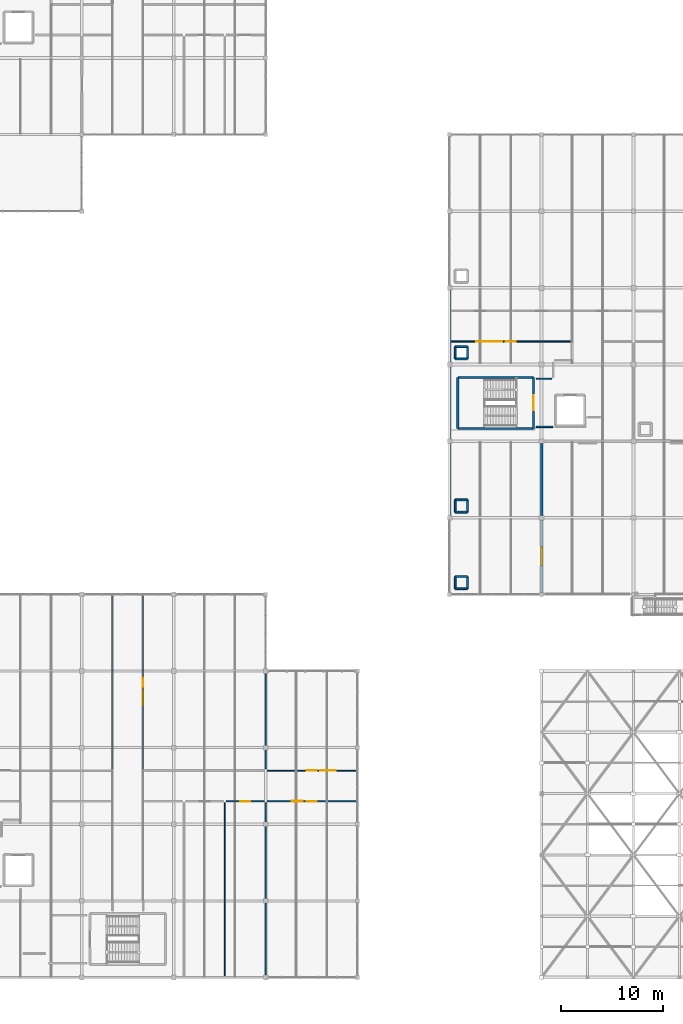
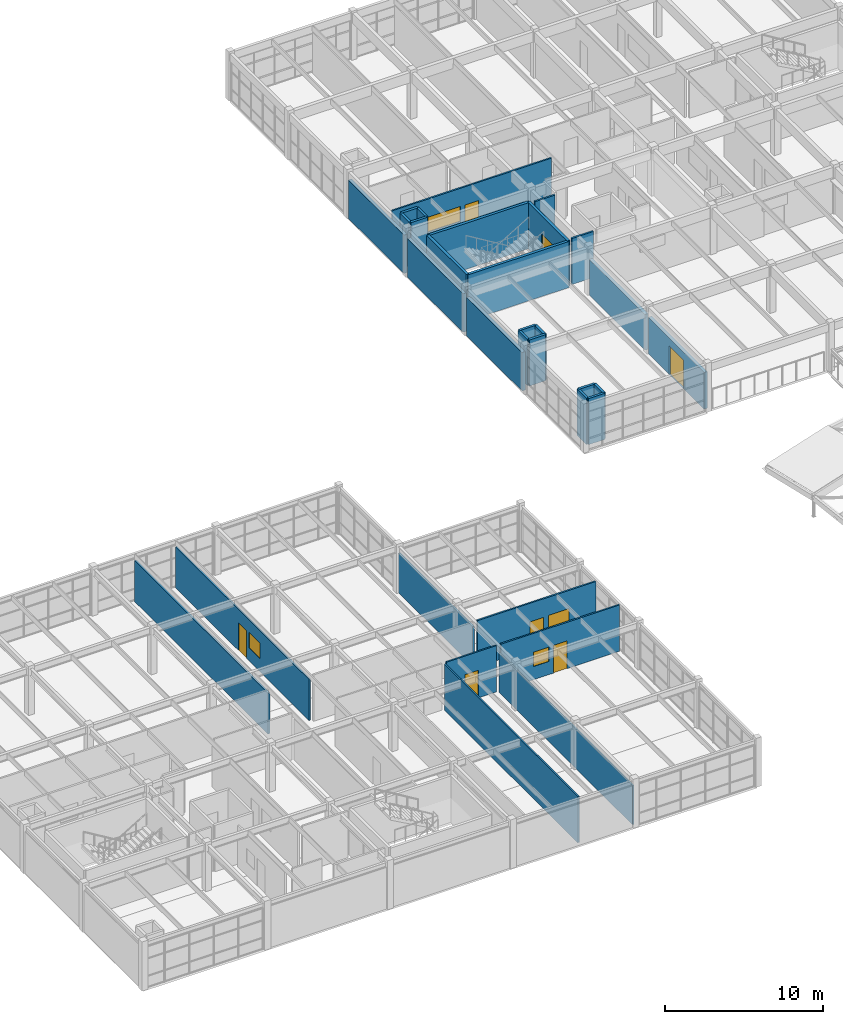
# One storey, part 72 of 81: 32 walls, 7 doors, 4 windows, 11 openings.
"""IFC4 building model written with IfcOpenShell, lengths in metres."""

from ifc_helpers import new_model, si_unit, direction, frame, frame_2d, origin, place, context, subcontext, project, spatial, rectangle, extrude, material, layer, layer_set, type_object, element, fill, save


model = new_model("IFC4")

# Units and contexts
model_context = context("Model", 3, precision=1e-05, world=origin(), true_north=direction((0.0, 1.0)))
body_context = subcontext(model_context, "Body", "Model", "MODEL_VIEW")
ifc_project = project(units=[si_unit("LENGTHUNIT", "METRE"), si_unit("AREAUNIT", "SQUARE_METRE"), si_unit("VOLUMEUNIT", "CUBIC_METRE"), si_unit("PLANEANGLEUNIT", "RADIAN"), si_unit("MASSUNIT", "GRAM", prefix="KILO")], contexts=[model_context])

# Site, building, storey
site_placement = place(None, origin())
site = spatial("IfcSite", under=ifc_project, at=site_placement, CompositionType="ELEMENT")
building_placement = place(site_placement, origin())
building = spatial("IfcBuilding", under=site, at=building_placement, Name="Marnridge Secondary College", CompositionType="ELEMENT")
storey_placement = place(building_placement, frame((0.0, 0.0, 8.5)))
storey = spatial("IfcBuildingStorey", under=building, at=storey_placement, Name="L02", CompositionType="ELEMENT", Elevation=8.5)

# Wall
ifc_material_1 = material(Name="Concrete C40/50 (AS 3600 N40, 40 MPa)", Category="concrete")
ifc_layer_1 = layer(ifc_material_1, 0.199951171875)
ifc_layer_set_1 = layer_set([ifc_layer_1], Name="WT-CORE-RC200")
wall_type_1 = type_object("IfcWallType", Name="WT-CORE-RC200", PredefinedType="SHEAR", material=ifc_layer_set_1)
wall_1_placement = place(storey_placement, frame((54.800048828125, 53.75, 0.0), z_axis=(0.0, 0.0, 1.0), x_axis=(1.0, 0.0, 0.0)))
element("IfcWall", 1, at=wall_1_placement, inside=storey, type_object=wall_type_1, Name="Stair core shear wall WC-L02-0257", PredefinedType="SHEAR", context=body_context, shape_type="SweptSolid", body=[
    extrude(rectangle(XDim=7.39990234375, YDim=0.199951171875, at=frame_2d((3.699951171875, 0.0))), origin(), (0.0, 0.0, 1.0), 3.570068359375),
])

# Wall, opening, door
wall_2_placement = place(storey_placement, frame((62.199951171875, 53.75, 0.0), z_axis=(0.0, 0.0, 1.0), x_axis=(0.0, 1.0, 0.0)))
wall_2 = element("IfcWall", 2, at=wall_2_placement, inside=storey, type_object=wall_type_1, Name="Stair core shear wall WC-L02-0258", PredefinedType="SHEAR", context=body_context, shape_type="SweptSolid", body=[
    extrude(rectangle(XDim=5.0, YDim=0.199951171875, at=frame_2d((2.5, 0.0))), origin(), (0.0, 0.0, 1.0), 3.570068359375),
])
opening_1_placement = place(wall_2_placement, frame((1.75, 0.0, 0.0)))
opening_1 = element("IfcOpeningElement", 3, at=opening_1_placement, cuts=wall_2, Name="Opening DC-L02-003", PredefinedType="OPENING", context=body_context, shape_type="SweptSolid", body=[
    extrude(rectangle(XDim=1.5, YDim=2.14990234375, at=frame_2d((0.75, 1.074951171875))), frame((0.0, 0.10986328125, 0.0), z_axis=(0.0, -1.0, 0.0), x_axis=(1.0, 0.0, 0.0)), (0.0, 0.0, 1.0), 0.219970703125),
])
ifc_material_2 = material(Name="Fire-rated solid-core timber doorset", Category="wood")
door_type_1 = type_object("IfcDoorType", Name="DT-CORE-FD150", OperationType="DOUBLE_DOOR_SINGLE_SWING", PredefinedType="DOOR", material=ifc_material_2)
door_1_placement = place(opening_1_placement, origin())
door_1 = element("IfcDoor", 4, at=door_1_placement, inside=storey, type_object=door_type_1, Name="Fire stair door DC-L02-003", OperationType="DOUBLE_DOOR_SINGLE_SWING", OverallHeight=2.14990234375, OverallWidth=1.5, PredefinedType="DOOR", context=body_context, shape_type="SweptSolid", body=[
    extrude(rectangle(XDim=1.5, YDim=2.14990234375, at=frame_2d((0.75, 1.074951171875))), frame((0.0, 0.02490234375, 0.0), z_axis=(0.0, -1.0, 0.0), x_axis=(1.0, 0.0, 0.0)), (0.0, 0.0, 1.0), 0.050048828125),
])
fill(opening_1, door_1)

# Walls
wall_3_placement = place(storey_placement, frame((62.199951171875, 58.75, 0.0), z_axis=(0.0, 0.0, 1.0), x_axis=(-1.0, 0.0, 0.0)))
element("IfcWall", 5, at=wall_3_placement, inside=storey, type_object=wall_type_1, Name="Stair core shear wall WC-L02-0259", PredefinedType="SHEAR", context=body_context, shape_type="SweptSolid", body=[
    extrude(rectangle(XDim=7.39990234375, YDim=0.199951171875, at=frame_2d((3.699951171875, 0.0))), origin(), (0.0, 0.0, 1.0), 3.570068359375),
])
wall_4_placement = place(storey_placement, frame((54.800048828125, 58.75, 0.0), z_axis=(0.0, 0.0, 1.0), x_axis=(0.0, -1.0, 0.0)))
element("IfcWall", 6, at=wall_4_placement, inside=storey, type_object=wall_type_1, Name="Stair core shear wall WC-L02-0260", PredefinedType="SHEAR", context=body_context, shape_type="SweptSolid", body=[
    extrude(rectangle(XDim=5.0, YDim=0.199951171875, at=frame_2d((2.5, 0.0))), origin(), (0.0, 0.0, 1.0), 3.570068359375),
])
ifc_material_3 = material(Name="Cross-laminated timber CL5", Category="wood")
ifc_layer_2 = layer(ifc_material_3, 0.239990234375)
ifc_layer_set_2 = layer_set([ifc_layer_2], Name="WT-EXT-CLT240")
wall_type_2 = type_object("IfcWallType", Name="WT-EXT-CLT240", PredefinedType="SOLIDWALL", material=ifc_layer_set_2)
wall_5_placement = place(storey_placement, frame((63.0, 52.279052734375, 0.0), z_axis=(0.0, 0.0, 1.0), x_axis=(0.0, -1.0, 0.0)))
element("IfcWall", 7, at=wall_5_placement, inside=storey, type_object=wall_type_2, Name="Exterior wall WE-L02-0134", PredefinedType="SOLIDWALL", context=body_context, shape_type="SweptSolid", body=[
    extrude(rectangle(XDim=7.05810546875, YDim=0.239990234375, at=frame_2d((3.529052734375, 0.0))), origin(), (0.0, 0.0, 1.0), 2.77197265625),
])

# Wall, opening, door
wall_6_placement = place(storey_placement, frame((63.0, 44.779052734375, 0.0), z_axis=(0.0, 0.0, 1.0), x_axis=(0.0, -1.0, 0.0)))
wall_6 = element("IfcWall", 8, at=wall_6_placement, inside=storey, type_object=wall_type_2, Name="Exterior wall WE-L02-0135", PredefinedType="SOLIDWALL", context=body_context, shape_type="SweptSolid", body=[
    extrude(rectangle(XDim=7.0830078125, YDim=0.239990234375, at=frame_2d((3.54150390625, 0.0))), origin(), (0.0, 0.0, 1.0), 2.842041015625),
])
opening_2_placement = place(wall_6_placement, frame((2.6416015625, 0.0, 0.0)))
opening_2 = element("IfcOpeningElement", 9, at=opening_2_placement, cuts=wall_6, Name="Opening DE-L02-029", PredefinedType="OPENING", context=body_context, shape_type="SweptSolid", body=[
    extrude(rectangle(XDim=1.800048828125, YDim=2.199951171875, at=frame_2d((0.89990234375, 1.10009765625))), frame((0.0, 0.1298828125, 0.0), z_axis=(0.0, -1.0, 0.0), x_axis=(1.0, 0.0, 0.0)), (0.0, 0.0, 1.0), 0.260009765625),
])
ifc_material_4 = material(Name="Thermally broken timber-aluminium terrace doorset", Category="wood")
door_type_2 = type_object("IfcDoorType", Name="DT-EXT-TER180", OperationType="DOUBLE_DOOR_SINGLE_SWING", PredefinedType="DOOR", material=ifc_material_4)
door_2_placement = place(opening_2_placement, origin())
door_2 = element("IfcDoor", 10, at=door_2_placement, inside=storey, type_object=door_type_2, Name="Play deck access door DE-L02-029", OperationType="DOUBLE_DOOR_SINGLE_SWING", OverallHeight=2.199951171875, OverallWidth=1.800048828125, PredefinedType="DOOR", context=body_context, shape_type="SweptSolid", body=[
    extrude(rectangle(XDim=1.800048828125, YDim=2.199951171875, at=frame_2d((0.89990234375, 1.10009765625))), frame((0.0, 0.02490234375, 0.0), z_axis=(0.0, -1.0, 0.0), x_axis=(1.0, 0.0, 0.0)), (0.0, 0.0, 1.0), 0.050048828125),
])
fill(opening_2, door_2)

# Walls
for number, where, z_axis, x_axis, name in (
    (11, (54.0, 45.220947265625, 0.0), (0.0, 0.0, 1.0), (0.0, 1.0, 0.0), "Exterior wall WE-L02-0136"),
    (12, (54.0, 52.720947265625, 0.0), (0.0, 0.0, 1.0), (0.0, 1.0, 0.0), "Exterior wall WE-L02-0137"),
    (13, (54.0, 60.220947265625, 0.0), (0.0, 0.0, 1.0), (0.0, 1.0, 0.0), "Exterior wall WE-L02-0138"),
):
    element("IfcWall", number, at=place(storey_placement, frame(where, z_axis=z_axis, x_axis=x_axis)), inside=storey, type_object=wall_type_2, Name=name, PredefinedType="SOLIDWALL", context=body_context, shape_type="SweptSolid", body=[
        extrude(rectangle(XDim=7.05810546875, YDim=0.239990234375, at=frame_2d((3.529052734375, 0.0))), origin(), (0.0, 0.0, 1.0), 2.97705078125),
    ])
ifc_material_5 = material(Name="Acoustic plasterboard partition Rw45", Category="gypsum")
ifc_layer_3 = layer(ifc_material_5, 0.1201171875)
ifc_layer_set_3 = layer_set([ifc_layer_3], Name="WT-PART-AC120")
wall_type_3 = type_object("IfcWallType", Name="WT-PART-AC120", PredefinedType="PARTITIONING", material=ifc_layer_set_3)
wall_7_placement = place(storey_placement, frame((62.5, 58.60009765625, 0.0), z_axis=(0.0, 0.0, 1.0), x_axis=(1.0, 0.0, 0.0)))
element("IfcWall", 14, at=wall_7_placement, inside=storey, type_object=wall_type_3, Name="Interior partition WP-L02-0243", PredefinedType="PARTITIONING", context=body_context, shape_type="SweptSolid", body=[
    extrude(rectangle(XDim=1.489990234375, YDim=0.1201171875, at=frame_2d((0.7451171875, 0.0))), origin(), (0.0, 0.0, 1.0), 3.570068359375),
])

# Wall, openings, door, window
wall_8_placement = place(storey_placement, frame((65.840087890625, 62.25, 0.0), z_axis=(0.0, 0.0, 1.0), x_axis=(-1.0, 0.0, 0.0)))
wall_8 = element("IfcWall", 15, at=wall_8_placement, inside=storey, type_object=wall_type_3, Name="Interior partition WP-L02-0247", PredefinedType="PARTITIONING", context=body_context, shape_type="SweptSolid", body=[
    extrude(rectangle(XDim=11.68017578125, YDim=0.1201171875, at=frame_2d((5.840087890625, 0.0))), origin(), (0.0, 0.0, 1.0), 3.570068359375),
])
opening_3_placement = place(wall_8_placement, frame((5.340087890625, 0.0, 0.0)))
opening_3 = element("IfcOpeningElement", 16, at=opening_3_placement, cuts=wall_8, Name="Opening DI-L02-0087", PredefinedType="OPENING", context=body_context, shape_type="SweptSolid", body=[
    extrude(rectangle(XDim=1.0, YDim=2.14990234375, at=frame_2d((0.5, 1.074951171875))), frame((0.0, 0.070068359375, 0.0), z_axis=(0.0, -1.0, 0.0), x_axis=(1.0, 0.0, 0.0)), (0.0, 0.0, 1.0), 0.14013671875),
])
opening_4_placement = place(wall_8_placement, frame((6.68994140625, 0.0, 1.02001953125)))
opening_4 = element("IfcOpeningElement", 17, at=opening_4_placement, cuts=wall_8, Name="Opening WNI-L02-017", PredefinedType="OPENING", context=body_context, shape_type="SweptSolid", body=[
    extrude(rectangle(XDim=2.56005859375, YDim=1.139892578125, at=frame_2d((1.280029296875, 0.56982421875))), frame((0.0, 0.070068359375, 0.0), z_axis=(0.0, -1.0, 0.0), x_axis=(1.0, 0.0, 0.0)), (0.0, 0.0, 1.0), 0.14013671875),
])
ifc_material_6 = material(Name="Solid-core acoustic hoop-pine classroom doorset", Category="wood")
door_type_3 = type_object("IfcDoorType", Name="DT-CLS-100", OperationType="NOTDEFINED", PredefinedType="DOOR", material=ifc_material_6)
door_3_placement = place(opening_3_placement, origin())
door_3 = element("IfcDoor", 18, at=door_3_placement, inside=storey, type_object=door_type_3, Name="Interior door DI-L02-0087", OperationType="SINGLE_SWING_LEFT", OverallHeight=2.14990234375, OverallWidth=1.0, PredefinedType="DOOR", context=body_context, shape_type="SweptSolid", body=[
    extrude(rectangle(XDim=1.0, YDim=2.14990234375, at=frame_2d((0.5, 1.074951171875))), frame((0.0, 0.02490234375, 0.0), z_axis=(0.0, -1.0, 0.0), x_axis=(1.0, 0.0, 0.0)), (0.0, 0.0, 1.0), 0.050048828125),
])
fill(opening_3, door_3)
ifc_material_7 = material(Name="Acoustic laminated interior vision glazing", Category="glass")
window_type_1 = type_object("IfcWindowType", Name="WN-BL-VAR17", PartitioningType="DOUBLE_PANEL_VERTICAL", PredefinedType="WINDOW", material=ifc_material_7)
window_1_placement = place(opening_4_placement, origin())
window_1 = element("IfcWindow", 19, at=window_1_placement, inside=storey, type_object=window_type_1, Name="Interior vision window WNI-L02-017", OverallHeight=1.139892578125, OverallWidth=2.56005859375, PartitioningType="DOUBLE_PANEL_VERTICAL", PredefinedType="WINDOW", context=body_context, shape_type="SweptSolid", body=[
    extrude(rectangle(XDim=2.56005859375, YDim=1.139892578125, at=frame_2d((1.280029296875, 0.56982421875))), frame((0.0, 0.030029296875, 0.0), z_axis=(0.0, -1.0, 0.0), x_axis=(1.0, 0.0, 0.0)), (0.0, 0.0, 1.0), 0.06005859375),
])
fill(opening_4, window_1)

wall_9_placement = place(storey_placement, frame((44.840087890625, 17.25, 0.0), z_axis=(0.0, 0.0, 1.0), x_axis=(-1.0, 0.0, 0.0)))
wall_9 = element("IfcWall", 20, at=wall_9_placement, inside=storey, type_object=wall_type_3, Name="Interior partition WP-L02-0307", PredefinedType="PARTITIONING", context=body_context, shape_type="SweptSolid", body=[
    extrude(rectangle(XDim=8.68017578125, YDim=0.1201171875, at=frame_2d((4.340087890625, 0.0))), origin(), (0.0, 0.0, 1.0), 3.590087890625),
])
opening_5_placement = place(wall_9_placement, frame((3.840087890625, 0.0, 0.0)))
opening_5 = element("IfcOpeningElement", 21, at=opening_5_placement, cuts=wall_9, Name="Opening DI-L02-0110", PredefinedType="OPENING", context=body_context, shape_type="SweptSolid", body=[
    extrude(rectangle(XDim=1.0, YDim=2.14990234375, at=frame_2d((0.5, 1.074951171875))), frame((0.0, 0.070068359375, 0.0), z_axis=(0.0, -1.0, 0.0), x_axis=(1.0, 0.0, 0.0)), (0.0, 0.0, 1.0), 0.14013671875),
])
opening_6_placement = place(wall_9_placement, frame((5.18994140625, 0.0, 1.02001953125)))
opening_6 = element("IfcOpeningElement", 22, at=opening_6_placement, cuts=wall_9, Name="Opening WNI-L02-021", PredefinedType="OPENING", context=body_context, shape_type="SweptSolid", body=[
    extrude(rectangle(XDim=1.10009765625, YDim=1.1201171875, at=frame_2d((0.550048828125, 0.56005859375))), frame((0.0, 0.070068359375, 0.0), z_axis=(0.0, -1.0, 0.0), x_axis=(1.0, 0.0, 0.0)), (0.0, 0.0, 1.0), 0.14013671875),
])
door_4_placement = place(opening_5_placement, origin())
door_4 = element("IfcDoor", 23, at=door_4_placement, inside=storey, type_object=door_type_3, Name="Interior door DI-L02-0110", OperationType="SINGLE_SWING_RIGHT", OverallHeight=2.14990234375, OverallWidth=1.0, PredefinedType="DOOR", context=body_context, shape_type="SweptSolid", body=[
    extrude(rectangle(XDim=1.0, YDim=2.14990234375, at=frame_2d((0.5, 1.074951171875))), frame((0.0, 0.02490234375, 0.0), z_axis=(0.0, -1.0, 0.0), x_axis=(1.0, 0.0, 0.0)), (0.0, 0.0, 1.0), 0.050048828125),
])
fill(opening_5, door_4)
ifc_material_8 = material(Name="Acoustic laminated interior vision glazing", Category="glass")
window_type_2 = type_object("IfcWindowType", Name="WN-BL-VAR03", PartitioningType="DOUBLE_PANEL_VERTICAL", PredefinedType="WINDOW", material=ifc_material_8)
window_2_placement = place(opening_6_placement, origin())
window_2 = element("IfcWindow", 24, at=window_2_placement, inside=storey, type_object=window_type_2, Name="Interior vision window WNI-L02-021", OverallHeight=1.1201171875, OverallWidth=1.10009765625, PartitioningType="DOUBLE_PANEL_VERTICAL", PredefinedType="WINDOW", context=body_context, shape_type="SweptSolid", body=[
    extrude(rectangle(XDim=1.10009765625, YDim=1.1201171875, at=frame_2d((0.550048828125, 0.56005859375))), frame((0.0, 0.030029296875, 0.0), z_axis=(0.0, -1.0, 0.0), x_axis=(1.0, 0.0, 0.0)), (0.0, 0.0, 1.0), 0.06005859375),
])
fill(opening_6, window_2)

wall_10_placement = place(storey_placement, frame((24.0, 37.340087890625, 0.0), z_axis=(0.0, 0.0, 1.0), x_axis=(0.0, -1.0, 0.0)))
wall_10 = element("IfcWall", 25, at=wall_10_placement, inside=storey, type_object=wall_type_3, Name="Interior partition WP-L02-0319", PredefinedType="PARTITIONING", context=body_context, shape_type="SweptSolid", body=[
    extrude(rectangle(XDim=16.93017578125, YDim=0.1201171875, at=frame_2d((8.465087890625, 0.0))), origin(), (0.0, 0.0, 1.0), 3.181884765625),
])
opening_7_placement = place(wall_10_placement, frame((7.965087890625, 0.0, 0.0)))
opening_7 = element("IfcOpeningElement", 26, at=opening_7_placement, cuts=wall_10, Name="Opening DI-L02-0114", PredefinedType="OPENING", context=body_context, shape_type="SweptSolid", body=[
    extrude(rectangle(XDim=1.0, YDim=2.14990234375, at=frame_2d((0.5, 1.074951171875))), frame((0.0, 0.070068359375, 0.0), z_axis=(0.0, -1.0, 0.0), x_axis=(1.0, 0.0, 0.0)), (0.0, 0.0, 1.0), 0.14013671875),
])
opening_8_placement = place(wall_10_placement, frame((9.31494140625, 0.0, 1.02001953125)))
opening_8 = element("IfcOpeningElement", 27, at=opening_8_placement, cuts=wall_10, Name="Opening WNI-L02-024", PredefinedType="OPENING", context=body_context, shape_type="SweptSolid", body=[
    extrude(rectangle(XDim=1.39990234375, YDim=1.199951171875, at=frame_2d((0.699951171875, 0.60009765625))), frame((0.0, 0.070068359375, 0.0), z_axis=(0.0, -1.0, 0.0), x_axis=(1.0, 0.0, 0.0)), (0.0, 0.0, 1.0), 0.14013671875),
])
door_5_placement = place(opening_7_placement, origin())
door_5 = element("IfcDoor", 28, at=door_5_placement, inside=storey, type_object=door_type_3, Name="Interior door DI-L02-0114", OperationType="SINGLE_SWING_RIGHT", OverallHeight=2.14990234375, OverallWidth=1.0, PredefinedType="DOOR", context=body_context, shape_type="SweptSolid", body=[
    extrude(rectangle(XDim=1.0, YDim=2.14990234375, at=frame_2d((0.5, 1.074951171875))), frame((0.0, 0.02490234375, 0.0), z_axis=(0.0, -1.0, 0.0), x_axis=(1.0, 0.0, 0.0)), (0.0, 0.0, 1.0), 0.050048828125),
])
fill(opening_7, door_5)
ifc_material_9 = material(Name="Acoustic laminated interior vision glazing", Category="glass")
window_type_3 = type_object("IfcWindowType", Name="WN-BL-VAR06", PartitioningType="DOUBLE_PANEL_VERTICAL", PredefinedType="WINDOW", material=ifc_material_9)
window_3_placement = place(opening_8_placement, origin())
window_3 = element("IfcWindow", 29, at=window_3_placement, inside=storey, type_object=window_type_3, Name="Interior vision window WNI-L02-024", OverallHeight=1.199951171875, OverallWidth=1.39990234375, PartitioningType="DOUBLE_PANEL_VERTICAL", PredefinedType="WINDOW", context=body_context, shape_type="SweptSolid", body=[
    extrude(rectangle(XDim=1.39990234375, YDim=1.199951171875, at=frame_2d((0.699951171875, 0.60009765625))), frame((0.0, 0.030029296875, 0.0), z_axis=(0.0, -1.0, 0.0), x_axis=(1.0, 0.0, 0.0)), (0.0, 0.0, 1.0), 0.06005859375),
])
fill(opening_8, window_3)

wall_11_placement = place(storey_placement, frame((36.159912109375, 20.25, 0.0), z_axis=(0.0, 0.0, 1.0), x_axis=(1.0, 0.0, 0.0)))
wall_11 = element("IfcWall", 30, at=wall_11_placement, inside=storey, type_object=wall_type_3, Name="Interior partition WP-L02-0321", PredefinedType="PARTITIONING", context=body_context, shape_type="SweptSolid", body=[
    extrude(rectangle(XDim=8.68017578125, YDim=0.1201171875, at=frame_2d((4.340087890625, 0.0))), origin(), (0.0, 0.0, 1.0), 3.590087890625),
])
opening_9_placement = place(wall_11_placement, frame((3.840087890625, 0.0, 0.0)))
opening_9 = element("IfcOpeningElement", 31, at=opening_9_placement, cuts=wall_11, Name="Opening DI-L02-0115", PredefinedType="OPENING", context=body_context, shape_type="SweptSolid", body=[
    extrude(rectangle(XDim=1.0, YDim=2.14990234375, at=frame_2d((0.5, 1.074951171875))), frame((0.0, 0.070068359375, 0.0), z_axis=(0.0, -1.0, 0.0), x_axis=(1.0, 0.0, 0.0)), (0.0, 0.0, 1.0), 0.14013671875),
])
opening_10_placement = place(wall_11_placement, frame((5.18994140625, 0.0, 1.02001953125)))
opening_10 = element("IfcOpeningElement", 32, at=opening_10_placement, cuts=wall_11, Name="Opening WNI-L02-025", PredefinedType="OPENING", context=body_context, shape_type="SweptSolid", body=[
    extrude(rectangle(XDim=1.52001953125, YDim=1.159912109375, at=frame_2d((0.760009765625, 0.580078125))), frame((0.0, 0.070068359375, 0.0), z_axis=(0.0, -1.0, 0.0), x_axis=(1.0, 0.0, 0.0)), (0.0, 0.0, 1.0), 0.14013671875),
])
door_6_placement = place(opening_9_placement, origin())
door_6 = element("IfcDoor", 33, at=door_6_placement, inside=storey, type_object=door_type_3, Name="Interior door DI-L02-0115", OperationType="SINGLE_SWING_LEFT", OverallHeight=2.14990234375, OverallWidth=1.0, PredefinedType="DOOR", context=body_context, shape_type="SweptSolid", body=[
    extrude(rectangle(XDim=1.0, YDim=2.14990234375, at=frame_2d((0.5, 1.074951171875))), frame((0.0, 0.02490234375, 0.0), z_axis=(0.0, -1.0, 0.0), x_axis=(1.0, 0.0, 0.0)), (0.0, 0.0, 1.0), 0.050048828125),
])
fill(opening_9, door_6)
ifc_material_10 = material(Name="Acoustic laminated interior vision glazing", Category="glass")
window_type_4 = type_object("IfcWindowType", Name="WN-BL-VAR07", PartitioningType="DOUBLE_PANEL_VERTICAL", PredefinedType="WINDOW", material=ifc_material_10)
window_4_placement = place(opening_10_placement, origin())
window_4 = element("IfcWindow", 34, at=window_4_placement, inside=storey, type_object=window_type_4, Name="Interior vision window WNI-L02-025", OverallHeight=1.159912109375, OverallWidth=1.52001953125, PartitioningType="DOUBLE_PANEL_VERTICAL", PredefinedType="WINDOW", context=body_context, shape_type="SweptSolid", body=[
    extrude(rectangle(XDim=1.52001953125, YDim=1.159912109375, at=frame_2d((0.760009765625, 0.580078125))), frame((0.0, 0.030029296875, 0.0), z_axis=(0.0, -1.0, 0.0), x_axis=(1.0, 0.0, 0.0)), (0.0, 0.0, 1.0), 0.06005859375),
])
fill(opening_10, window_4)

# Walls
ifc_material_11 = material(Name="Acoustic plasterboard partition Rw48", Category="gypsum")
ifc_layer_4 = layer(ifc_material_11, 0.135009765625)
ifc_layer_set_4 = layer_set([ifc_layer_4], Name="WT-PART-AC135")
wall_type_4 = type_object("IfcWallType", Name="WT-PART-AC135", PredefinedType="PARTITIONING", material=ifc_layer_set_4)
wall_12_placement = place(storey_placement, frame((64.10009765625, 53.89990234375, 0.0), z_axis=(0.0, 0.0, 1.0), x_axis=(-1.0, 0.0, 0.0)))
element("IfcWall", 35, at=wall_12_placement, inside=storey, type_object=wall_type_4, Name="Interior partition WP-L02-0238", PredefinedType="PARTITIONING", context=body_context, shape_type="SweptSolid", body=[
    extrude(rectangle(XDim=1.60009765625, YDim=0.135009765625, at=frame_2d((0.800048828125, 0.0))), origin(), (0.0, 0.0, 1.0), 3.570068359375),
])
wall_13_placement = place(storey_placement, frame((21.0, 20.409912109375, 0.0), z_axis=(0.0, 0.0, 1.0), x_axis=(0.0, 1.0, 0.0)))
element("IfcWall", 36, at=wall_13_placement, inside=storey, type_object=wall_type_4, Name="Interior partition WP-L02-0318", PredefinedType="PARTITIONING", context=body_context, shape_type="SweptSolid", body=[
    extrude(rectangle(XDim=16.93017578125, YDim=0.135009765625, at=frame_2d((8.465087890625, 0.0))), origin(), (0.0, 0.0, 1.0), 3.181884765625),
])
wall_14_placement = place(storey_placement, frame((36.0, 20.409912109375, 0.0), z_axis=(0.0, 0.0, 1.0), x_axis=(0.0, 1.0, 0.0)))
element("IfcWall", 37, at=wall_14_placement, inside=storey, type_object=wall_type_4, Name="Interior partition WP-L02-0322", PredefinedType="PARTITIONING", context=body_context, shape_type="SweptSolid", body=[
    extrude(rectangle(XDim=9.43017578125, YDim=0.135009765625, at=frame_2d((4.715087890625, 0.0))), origin(), (0.0, 0.0, 1.0), 3.049072265625),
])
ifc_material_12 = material(Name="Moisture-resistant plasterboard sanitary partition", Category="gypsum")
ifc_layer_5 = layer(ifc_material_12, 0.110107421875)
ifc_layer_set_5 = layer_set([ifc_layer_5], Name="WT-PART-WT110")
wall_type_5 = type_object("IfcWallType", Name="WT-PART-WT110", PredefinedType="PARTITIONING", material=ifc_layer_set_5)
wall_15_placement = place(storey_placement, frame((32.0, 0.159912109375, 0.0), z_axis=(0.0, 0.0, 1.0), x_axis=(0.0, 1.0, 0.0)))
element("IfcWall", 38, at=wall_15_placement, inside=storey, type_object=wall_type_5, Name="Interior partition WP-L02-0299", PredefinedType="PARTITIONING", context=body_context, shape_type="SweptSolid", body=[
    extrude(rectangle(XDim=16.93017578125, YDim=0.110107421875, at=frame_2d((8.465087890625, 0.0))), origin(), (0.0, 0.0, 1.0), 3.590087890625),
])

# Wall, opening, door
wall_16_placement = place(storey_placement, frame((35.840087890625, 17.25, 0.0), z_axis=(0.0, 0.0, 1.0), x_axis=(-1.0, 0.0, 0.0)))
wall_16 = element("IfcWall", 39, at=wall_16_placement, inside=storey, type_object=wall_type_5, Name="Interior partition WP-L02-0301", PredefinedType="PARTITIONING", context=body_context, shape_type="SweptSolid", body=[
    extrude(rectangle(XDim=3.68017578125, YDim=0.110107421875, at=frame_2d((1.840087890625, 0.0))), origin(), (0.0, 0.0, 1.0), 3.590087890625),
])
opening_11_placement = place(wall_16_placement, frame((1.340087890625, 0.0, 0.0)))
opening_11 = element("IfcOpeningElement", 40, at=opening_11_placement, cuts=wall_16, Name="Opening DI-L02-0108", PredefinedType="OPENING", context=body_context, shape_type="SweptSolid", body=[
    extrude(rectangle(XDim=1.0, YDim=2.14990234375, at=frame_2d((0.5, 1.074951171875))), frame((0.0, 0.06494140625, 0.0), z_axis=(0.0, -1.0, 0.0), x_axis=(1.0, 0.0, 0.0)), (0.0, 0.0, 1.0), 0.130126953125),
])
door_7_placement = place(opening_11_placement, origin())
door_7 = element("IfcDoor", 41, at=door_7_placement, inside=storey, type_object=door_type_3, Name="Interior door DI-L02-0108", OperationType="SINGLE_SWING_RIGHT", OverallHeight=2.14990234375, OverallWidth=1.0, PredefinedType="DOOR", context=body_context, shape_type="SweptSolid", body=[
    extrude(rectangle(XDim=1.0, YDim=2.14990234375, at=frame_2d((0.5, 1.074951171875))), frame((0.0, 0.02490234375, 0.0), z_axis=(0.0, -1.0, 0.0), x_axis=(1.0, 0.0, 0.0)), (0.0, 0.0, 1.0), 0.050048828125),
])
fill(opening_11, door_7)

# Walls
wall_17_placement = place(storey_placement, frame((36.0, 0.159912109375, 0.0), z_axis=(0.0, 0.0, 1.0), x_axis=(0.0, 1.0, 0.0)))
element("IfcWall", 42, at=wall_17_placement, inside=storey, type_object=wall_type_5, Name="Interior partition WP-L02-0302", PredefinedType="PARTITIONING", context=body_context, shape_type="SweptSolid", body=[
    extrude(rectangle(XDim=16.93017578125, YDim=0.110107421875, at=frame_2d((8.465087890625, 0.0))), origin(), (0.0, 0.0, 1.0), 3.049072265625),
])
ifc_material_13 = material(Name="Concrete C40/50 (AS 3600 N40, 40 MPa)", Category="concrete")
ifc_layer_6 = layer(ifc_material_13, 0.179931640625)
ifc_layer_set_6 = layer_set([ifc_layer_6], Name="WT-SHAFT-RC180")
wall_type_6 = type_object("IfcWallType", Name="WT-SHAFT-RC180", PredefinedType="SHEAR", material=ifc_layer_set_6)
for number, where, z_axis, x_axis, name in (
    (43, (55.75, 38.050048828125, 0.0), (0.0, 0.0, 1.0), (-1.0, 0.0, 0.0), "Service riser shaft wall WR-L02-0125"),
    (44, (54.550048828125, 38.050048828125, 0.0), (0.0, 0.0, 1.0), (0.0, 1.0, 0.0), "Service riser shaft wall WR-L02-0126"),
    (45, (54.550048828125, 39.25, 0.0), (0.0, 0.0, 1.0), (1.0, 0.0, 0.0), "Service riser shaft wall WR-L02-0127"),
    (46, (55.75, 39.25, 0.0), (0.0, 0.0, 1.0), (0.0, -1.0, 0.0), "Service riser shaft wall WR-L02-0128"),
    (47, (55.75, 60.550048828125, 0.0), (0.0, 0.0, 1.0), (-1.0, 0.0, 0.0), "Service riser shaft wall WR-L02-0129"),
    (48, (54.550048828125, 60.550048828125, 0.0), (0.0, 0.0, 1.0), (0.0, 1.0, 0.0), "Service riser shaft wall WR-L02-0130"),
    (49, (54.550048828125, 61.75, 0.0), (0.0, 0.0, 1.0), (1.0, 0.0, 0.0), "Service riser shaft wall WR-L02-0131"),
    (50, (55.75, 61.75, 0.0), (0.0, 0.0, 1.0), (0.0, -1.0, 0.0), "Service riser shaft wall WR-L02-0132"),
    (51, (55.75, 45.550048828125, 0.0), (0.0, 0.0, 1.0), (-1.0, 0.0, 0.0), "Service riser shaft wall WR-L02-0173"),
    (52, (54.550048828125, 45.550048828125, 0.0), (0.0, 0.0, 1.0), (0.0, 1.0, 0.0), "Service riser shaft wall WR-L02-0174"),
    (53, (54.550048828125, 46.75, 0.0), (0.0, 0.0, 1.0), (1.0, 0.0, 0.0), "Service riser shaft wall WR-L02-0175"),
    (54, (55.75, 46.75, 0.0), (0.0, 0.0, 1.0), (0.0, -1.0, 0.0), "Service riser shaft wall WR-L02-0176"),
):
    element("IfcWall", number, at=place(storey_placement, frame(where, z_axis=z_axis, x_axis=x_axis)), inside=storey, type_object=wall_type_6, Name=name, PredefinedType="SHEAR", context=body_context, shape_type="SweptSolid", body=[
        extrude(rectangle(XDim=1.199951171875, YDim=0.179931640625, at=frame_2d((0.60009765625, 0.0))), origin(), (0.0, 0.0, 1.0), 3.570068359375),
    ])

save(model, "model.ifc")
